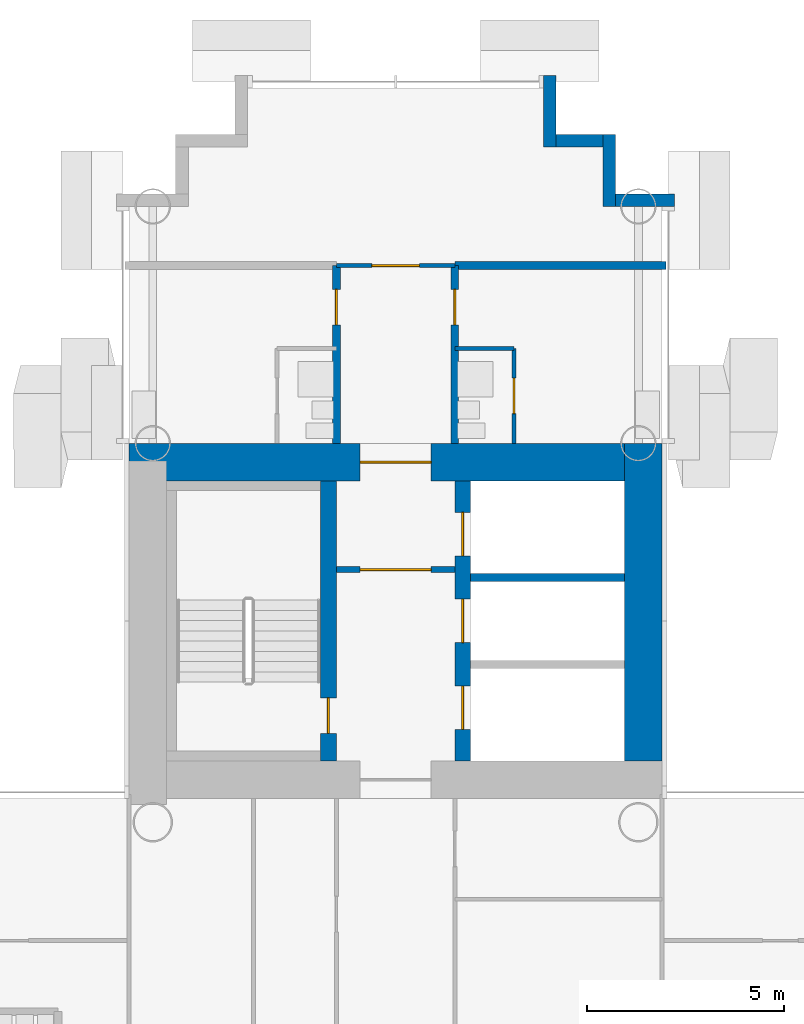
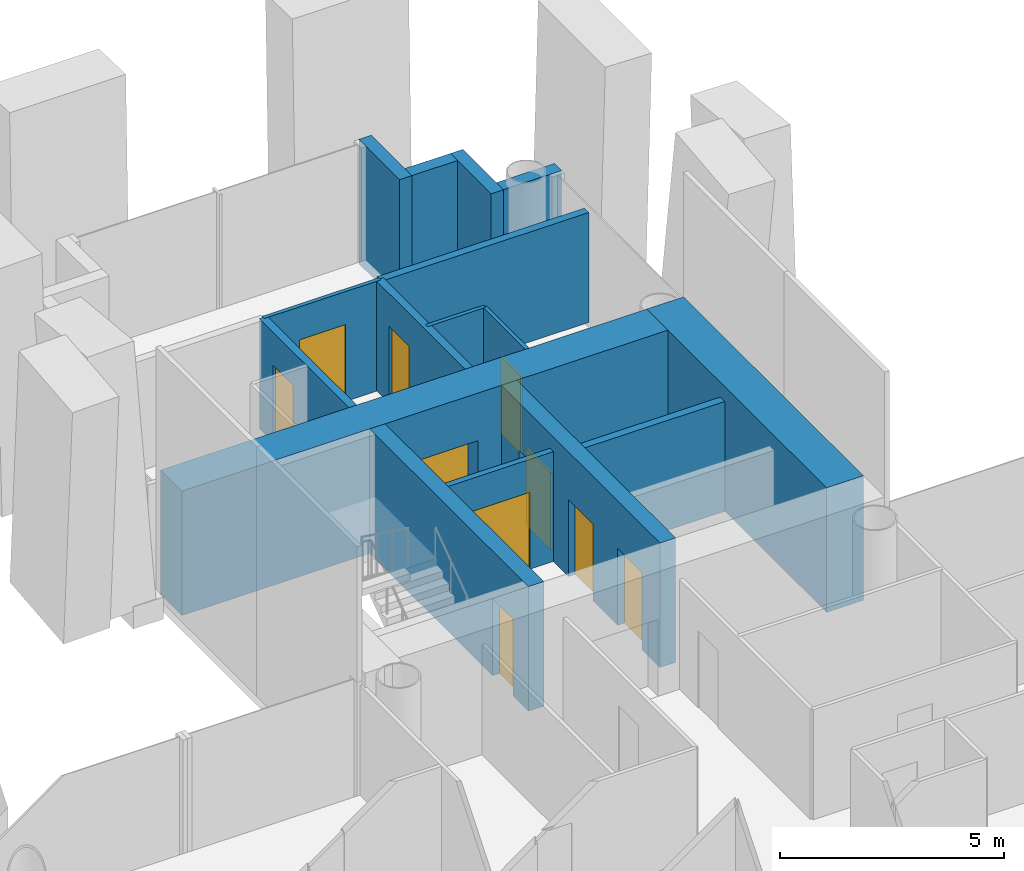
# One storey, part 13 of 20: 16 walls, 10 doors, 10 openings.
"""IFC4 building model written with IfcOpenShell, lengths in metres."""

from ifc_helpers import new_model, si_unit, direction, frame, frame_2d, origin, place, context, subcontext, project, spatial, rectangle, extrude, material, layer, layer_set, type_object, element, fill, save


model = new_model("IFC4")

# Units and contexts
model_context = context("Model", 3, precision=1e-05, world=origin(), true_north=direction((0.0, 1.0)))
body_context = subcontext(model_context, "Body", "Model", "MODEL_VIEW")
ifc_project = project(units=[si_unit("LENGTHUNIT", "METRE"), si_unit("AREAUNIT", "SQUARE_METRE"), si_unit("VOLUMEUNIT", "CUBIC_METRE"), si_unit("PLANEANGLEUNIT", "RADIAN"), si_unit("MASSUNIT", "GRAM", prefix="KILO")], contexts=[model_context])

# Site, building, storey
site_placement = place(None, origin())
site = spatial("IfcSite", under=ifc_project, at=site_placement, CompositionType="ELEMENT")
building_placement = place(site_placement, origin())
building = spatial("IfcBuilding", under=site, at=building_placement, Name="Ipe Terrace Towers", CompositionType="ELEMENT")
storey_placement = place(building_placement, frame((0.0, 0.0, 100.39990234375)))
storey = spatial("IfcBuildingStorey", under=building, at=storey_placement, Name="L27", CompositionType="ELEMENT", Elevation=100.39990234375)

# Walls
ifc_material_1 = material(Name="Concrete C40/50 with buff precast cladding", Category="concrete")
ifc_layer_1 = layer(ifc_material_1, 0.320068359375)
ifc_layer_set_1 = layer_set([ifc_layer_1], Name="BUFF CLADDING WALL 320")
wall_type_1 = type_object("IfcWallType", Name="BUFF CLADDING WALL 320", PredefinedType="STANDARD", material=ifc_layer_set_1)
wall_1_placement = place(storey_placement, frame((43.070068359375, 21.909912109375, -0.2998046875), z_axis=(0.0, 0.0, 1.0), x_axis=(-1.0, 0.0, 0.0)))
element("IfcWall", 1, at=wall_1_placement, inside=storey, type_object=wall_type_1, Name="T2-W-L27-17a wall", PredefinedType="STANDARD", context=body_context, shape_type="SweptSolid", body=[
    extrude(rectangle(XDim=1.5, YDim=0.320068359375, at=frame_2d((0.75, 0.0))), origin(), (0.0, 0.0, 1.0), 3.39990234375),
])
wall_2_placement = place(storey_placement, frame((41.409912109375, 21.75, -0.2998046875), z_axis=(0.0, 0.0, 1.0), x_axis=(0.0, 1.0, 0.0)))
element("IfcWall", 2, at=wall_2_placement, inside=storey, type_object=wall_type_1, Name="T2-W-L27-18a wall", PredefinedType="STANDARD", context=body_context, shape_type="SweptSolid", body=[
    extrude(rectangle(XDim=1.820068359375, YDim=0.320068359375, at=frame_2d((0.91015625, 0.0))), origin(), (0.0, 0.0, 1.0), 3.39990234375),
])
wall_3_placement = place(storey_placement, frame((41.25, 23.409912109375, -0.2998046875), z_axis=(0.0, 0.0, 1.0), x_axis=(-1.0, 0.0, 0.0)))
element("IfcWall", 3, at=wall_3_placement, inside=storey, type_object=wall_type_1, Name="T2-W-L27-19a wall", PredefinedType="STANDARD", context=body_context, shape_type="SweptSolid", body=[
    extrude(rectangle(XDim=1.179931640625, YDim=0.320068359375, at=frame_2d((0.58984375, 0.0))), origin(), (0.0, 0.0, 1.0), 3.39990234375),
])
wall_4_placement = place(storey_placement, frame((39.909912109375, 23.25, -0.2998046875), z_axis=(0.0, 0.0, 1.0), x_axis=(0.0, 1.0, 0.0)))
element("IfcWall", 4, at=wall_4_placement, inside=storey, type_object=wall_type_1, Name="T2-W-L27-20a wall", PredefinedType="STANDARD", context=body_context, shape_type="SweptSolid", body=[
    extrude(rectangle(XDim=1.820068359375, YDim=0.320068359375, at=frame_2d((0.91015625, 0.0))), origin(), (0.0, 0.0, 1.0), 3.39990234375),
])
ifc_material_2 = material(Name="Gypsum board partition", Category="plasterboard")
ifc_layer_2 = layer(ifc_material_2, 0.10009765625)
ifc_layer_set_2 = layer_set([ifc_layer_2], Name="Gypsum board partition 100 mm")
wall_type_2 = type_object("IfcWallType", Name="Gypsum board partition 100 mm", PredefinedType="PARTITIONING", material=ifc_layer_set_2)
wall_5_placement = place(storey_placement, frame((39.0, 18.14990234375, 0.0), z_axis=(0.0, 0.0, 1.0), x_axis=(-1.0, 0.0, 0.0)))
element("IfcWall", 5, at=wall_5_placement, inside=storey, type_object=wall_type_2, Name="Gypsum board partition T2 L27 W16", PredefinedType="PARTITIONING", context=body_context, shape_type="SweptSolid", body=[
    extrude(rectangle(XDim=1.5, YDim=0.10009765625, at=frame_2d((0.75, 0.0))), origin(), (0.0, 0.0, 1.0), 3.0),
])

# Wall, opening, door
wall_6_placement = place(storey_placement, frame((37.5, 20.25, 0.0), z_axis=(0.0, 0.0, 1.0), x_axis=(-1.0, 0.0, 0.0)))
wall_6 = element("IfcWall", 6, at=wall_6_placement, inside=storey, type_object=wall_type_2, Name="Gypsum board partition T2 L27 W18", PredefinedType="PARTITIONING", context=body_context, shape_type="SweptSolid", body=[
    extrude(rectangle(XDim=3.0, YDim=0.10009765625, at=frame_2d((1.5, 0.0))), origin(), (0.0, 0.0, 1.0), 3.0),
])
opening_1_placement = place(wall_6_placement, frame((0.89990234375, 0.0, 0.0)))
opening_1 = element("IfcOpeningElement", 7, at=opening_1_placement, cuts=wall_6, Name="Opening T2-Z2E-21", PredefinedType="OPENING", context=body_context, shape_type="SweptSolid", body=[
    extrude(rectangle(XDim=1.199951171875, YDim=2.10009765625, at=frame_2d((0.60009765625, 1.050048828125))), frame((0.0, 0.06005859375, 0.0), z_axis=(0.0, -1.0, 0.0), x_axis=(1.0, 0.0, 0.0)), (0.0, 0.0, 1.0), 0.1201171875),
])
ifc_material_3 = material(Name="Timber door leaf", Category="wood")
door_type_1 = type_object("IfcDoorType", Name="Lounge door 1200 x 2100", OperationType="NOTDEFINED", PredefinedType="DOOR", material=ifc_material_3)
door_1_placement = place(opening_1_placement, origin())
door_1 = element("IfcDoor", 8, at=door_1_placement, inside=storey, type_object=door_type_1, Name="Lounge door T2-Z2E-21", OperationType="SINGLE_SWING_RIGHT", OverallHeight=2.10009765625, OverallWidth=1.199951171875, PredefinedType="DOOR", context=body_context, shape_type="SweptSolid", body=[
    extrude(rectangle(XDim=1.199951171875, YDim=2.10009765625, at=frame_2d((0.60009765625, 1.050048828125))), frame((0.0, 0.02490234375, 0.0), z_axis=(0.0, -1.0, 0.0), x_axis=(1.0, 0.0, 0.0)), (0.0, 0.0, 1.0), 0.050048828125),
])
fill(opening_1, door_1)

wall_7_placement = place(storey_placement, frame((39.0, 15.75, 0.0), z_axis=(0.0, 0.0, 1.0), x_axis=(0.0, 1.0, 0.0)))
wall_7 = element("IfcWall", 9, at=wall_7_placement, inside=storey, type_object=wall_type_2, Name="Gypsum board partition T2 L27 W28", PredefinedType="PARTITIONING", context=body_context, shape_type="SweptSolid", body=[
    extrude(rectangle(XDim=2.39990234375, YDim=0.10009765625, at=frame_2d((1.199951171875, 0.0))), origin(), (0.0, 0.0, 1.0), 3.0),
])
opening_2_placement = place(wall_7_placement, frame((0.75, 0.0, 0.0)))
opening_2 = element("IfcOpeningElement", 10, at=opening_2_placement, cuts=wall_7, Name="Opening T2-Z2E-20", PredefinedType="OPENING", context=body_context, shape_type="SweptSolid", body=[
    extrude(rectangle(XDim=0.89990234375, YDim=2.10009765625, at=frame_2d((0.449951171875, 1.050048828125))), frame((0.0, 0.06005859375, 0.0), z_axis=(0.0, -1.0, 0.0), x_axis=(1.0, 0.0, 0.0)), (0.0, 0.0, 1.0), 0.1201171875),
])
ifc_material_4 = material(Name="Timber door leaf", Category="wood")
door_type_2 = type_object("IfcDoorType", Name="Bathroom door 900 x 2100", OperationType="NOTDEFINED", PredefinedType="DOOR", material=ifc_material_4)
door_2_placement = place(opening_2_placement, origin())
door_2 = element("IfcDoor", 11, at=door_2_placement, inside=storey, type_object=door_type_2, Name="Bathroom door T2-Z2E-20", OperationType="SINGLE_SWING_LEFT", OverallHeight=2.10009765625, OverallWidth=0.89990234375, PredefinedType="DOOR", context=body_context, shape_type="SweptSolid", body=[
    extrude(rectangle(XDim=0.89990234375, YDim=2.10009765625, at=frame_2d((0.449951171875, 1.050048828125))), frame((0.0, 0.02490234375, 0.0), z_axis=(0.0, -1.0, 0.0), x_axis=(1.0, 0.0, 0.0)), (0.0, 0.0, 1.0), 0.050048828125),
])
fill(opening_2, door_2)

ifc_material_5 = material(Name="Gypsum board partition", Category="plasterboard")
ifc_layer_3 = layer(ifc_material_5, 0.14990234375)
ifc_layer_set_3 = layer_set([ifc_layer_3], Name="Gypsum board partition 150 mm")
wall_type_3 = type_object("IfcWallType", Name="Gypsum board partition 150 mm", PredefinedType="PARTITIONING", material=ifc_layer_set_3)
wall_8_placement = place(storey_placement, frame((37.5, 12.550048828125, 0.0), z_axis=(0.0, 0.0, 1.0), x_axis=(-1.0, 0.0, 0.0)))
wall_8 = element("IfcWall", 12, at=wall_8_placement, inside=storey, type_object=wall_type_3, Name="Gypsum board partition T2 L27 t2c1-lobby-wall", PredefinedType="PARTITIONING", context=body_context, shape_type="SweptSolid", body=[
    extrude(rectangle(XDim=3.0, YDim=0.14990234375, at=frame_2d((1.5, 0.0))), origin(), (0.0, 0.0, 1.0), 3.0),
])
opening_3_placement = place(wall_8_placement, frame((0.60009765625, 0.0, 0.0)))
opening_3 = element("IfcOpeningElement", 13, at=opening_3_placement, cuts=wall_8, Name="Opening T2C1-VD", PredefinedType="OPENING", context=body_context, shape_type="SweptSolid", body=[
    extrude(rectangle(XDim=1.800048828125, YDim=2.10009765625, at=frame_2d((0.89990234375, 1.050048828125))), frame((0.0, 0.0849609375, 0.0), z_axis=(0.0, -1.0, 0.0), x_axis=(1.0, 0.0, 0.0)), (0.0, 0.0, 1.0), 0.169921875),
])
ifc_material_6 = material(Name="Fire-rated timber door leaf", Category="wood")
door_type_3 = type_object("IfcDoorType", Name="Lobby door 1800 x 2100 FD60", OperationType="NOTDEFINED", PredefinedType="DOOR", material=ifc_material_6)
door_3_placement = place(opening_3_placement, origin())
door_3 = element("IfcDoor", 14, at=door_3_placement, inside=storey, type_object=door_type_3, Name="Lobby door T2C1-VD", OperationType="SINGLE_SWING_LEFT", OverallHeight=2.10009765625, OverallWidth=1.800048828125, PredefinedType="DOOR", context=body_context, shape_type="SweptSolid", body=[
    extrude(rectangle(XDim=1.800048828125, YDim=2.10009765625, at=frame_2d((0.89990234375, 1.050048828125))), frame((0.0, 0.02490234375, 0.0), z_axis=(0.0, -1.0, 0.0), x_axis=(1.0, 0.0, 0.0)), (0.0, 0.0, 1.0), 0.050048828125),
])
fill(opening_3, door_3)

# Walls
ifc_material_7 = material(Name="Gypsum board party wall", Category="plasterboard")
ifc_layer_4 = layer(ifc_material_7, 0.199951171875)
ifc_layer_set_4 = layer_set([ifc_layer_4], Name="Gypsum board party wall 200 mm")
wall_type_4 = type_object("IfcWallType", Name="Gypsum board party wall 200 mm", PredefinedType="SOLIDWALL", material=ifc_layer_set_4)
wall_9_placement = place(storey_placement, frame((41.800048828125, 12.35009765625, 0.0), z_axis=(0.0, 0.0, 1.0), x_axis=(-1.0, 0.0, 0.0)))
element("IfcWall", 15, at=wall_9_placement, inside=storey, type_object=wall_type_4, Name="Gypsum board party wall T2 L27 t2c1-shaft-div2", PredefinedType="SOLIDWALL", context=body_context, shape_type="SweptSolid", body=[
    extrude(rectangle(XDim=3.900146484375, YDim=0.199951171875, at=frame_2d((1.9501953125, 0.0))), origin(), (0.0, 0.0, 1.0), 3.0),
])
wall_10_placement = place(storey_placement, frame((42.85009765625, 20.25, 0.0), z_axis=(0.0, 0.0, 1.0), x_axis=(-1.0, 0.0, 0.0)))
element("IfcWall", 16, at=wall_10_placement, inside=storey, type_object=wall_type_4, Name="Gypsum board party wall T2 L27 W19", PredefinedType="SOLIDWALL", context=body_context, shape_type="SweptSolid", body=[
    extrude(rectangle(XDim=5.35009765625, YDim=0.199951171875, at=frame_2d((2.675048828125, 0.0))), origin(), (0.0, 0.0, 1.0), 3.0),
])

# Wall, opening, door
wall_11_placement = place(storey_placement, frame((37.5, 15.75, 0.0), z_axis=(0.0, 0.0, 1.0), x_axis=(0.0, 1.0, 0.0)))
wall_11 = element("IfcWall", 17, at=wall_11_placement, inside=storey, type_object=wall_type_4, Name="Gypsum board party wall T2 L27 W31", PredefinedType="SOLIDWALL", context=body_context, shape_type="SweptSolid", body=[
    extrude(rectangle(XDim=4.5, YDim=0.199951171875, at=frame_2d((2.25, 0.0))), origin(), (0.0, 0.0, 1.0), 3.0),
])
opening_4_placement = place(wall_11_placement, frame((3.0, 0.0, 0.0)))
opening_4 = element("IfcOpeningElement", 18, at=opening_4_placement, cuts=wall_11, Name="Opening T2-Z2E-19", PredefinedType="OPENING", context=body_context, shape_type="SweptSolid", body=[
    extrude(rectangle(XDim=0.89990234375, YDim=2.10009765625, at=frame_2d((0.449951171875, 1.050048828125))), frame((0.0, 0.10986328125, 0.0), z_axis=(0.0, -1.0, 0.0), x_axis=(1.0, 0.0, 0.0)), (0.0, 0.0, 1.0), 0.219970703125),
])
ifc_material_8 = material(Name="Fire-rated timber door leaf", Category="wood")
door_type_4 = type_object("IfcDoorType", Name="Flat entrance door 900 x 2100 FD30S", OperationType="NOTDEFINED", PredefinedType="DOOR", material=ifc_material_8)
door_4_placement = place(opening_4_placement, origin())
door_4 = element("IfcDoor", 19, at=door_4_placement, inside=storey, type_object=door_type_4, Name="Flat entrance door T2-Z2E-19", OperationType="SINGLE_SWING_RIGHT", OverallHeight=2.10009765625, OverallWidth=0.89990234375, PredefinedType="DOOR", context=body_context, shape_type="SweptSolid", body=[
    extrude(rectangle(XDim=0.89990234375, YDim=2.10009765625, at=frame_2d((0.449951171875, 1.050048828125))), frame((0.0, 0.02490234375, 0.0), z_axis=(0.0, -1.0, 0.0), x_axis=(1.0, 0.0, 0.0)), (0.0, 0.0, 1.0), 0.050048828125),
])
fill(opening_4, door_4)

wall_12_placement = place(storey_placement, frame((34.5, 15.75, 0.0), z_axis=(0.0, 0.0, 1.0), x_axis=(0.0, 1.0, 0.0)))
wall_12 = element("IfcWall", 20, at=wall_12_placement, inside=storey, type_object=wall_type_4, Name="Gypsum board party wall T2 L27 W34", PredefinedType="SOLIDWALL", context=body_context, shape_type="SweptSolid", body=[
    extrude(rectangle(XDim=4.5, YDim=0.199951171875, at=frame_2d((2.25, 0.0))), origin(), (0.0, 0.0, 1.0), 3.0),
])
opening_5_placement = place(wall_12_placement, frame((3.0, 0.0, 0.0)))
opening_5 = element("IfcOpeningElement", 21, at=opening_5_placement, cuts=wall_12, Name="Opening T2-Z2E-17", PredefinedType="OPENING", context=body_context, shape_type="SweptSolid", body=[
    extrude(rectangle(XDim=0.89990234375, YDim=2.10009765625, at=frame_2d((0.449951171875, 1.050048828125))), frame((0.0, 0.10986328125, 0.0), z_axis=(0.0, -1.0, 0.0), x_axis=(1.0, 0.0, 0.0)), (0.0, 0.0, 1.0), 0.219970703125),
])
door_5_placement = place(opening_5_placement, origin())
door_5 = element("IfcDoor", 22, at=door_5_placement, inside=storey, type_object=door_type_4, Name="Flat entrance door T2-Z2E-17", OperationType="SINGLE_SWING_LEFT", OverallHeight=2.10009765625, OverallWidth=0.89990234375, PredefinedType="DOOR", context=body_context, shape_type="SweptSolid", body=[
    extrude(rectangle(XDim=0.89990234375, YDim=2.10009765625, at=frame_2d((0.449951171875, 1.050048828125))), frame((0.0, 0.02490234375, 0.0), z_axis=(0.0, -1.0, 0.0), x_axis=(1.0, 0.0, 0.0)), (0.0, 0.0, 1.0), 0.050048828125),
])
fill(opening_5, door_5)

ifc_material_9 = material(Name="Concrete C50/60", Category="concrete")
ifc_layer_5 = layer(ifc_material_9, 0.39990234375)
ifc_layer_set_5 = layer_set([ifc_layer_5], Name="RW400 CORE SPINE WALL 400 C50-60")
wall_type_5 = type_object("IfcWallType", Name="RW400 CORE SPINE WALL 400 C50-60", PredefinedType="SHEAR", material=ifc_layer_set_5)
wall_13_placement = place(storey_placement, frame((34.300048828125, 7.699951171875, 0.0), z_axis=(0.0, 0.0, 1.0), x_axis=(0.0, 1.0, 0.0)))
wall_13 = element("IfcWall", 23, at=wall_13_placement, inside=storey, type_object=wall_type_5, Name="Core spine wall T2-C1-Z2-SW1", PredefinedType="SHEAR", context=body_context, shape_type="SweptSolid", body=[
    extrude(rectangle(XDim=7.10009765625, YDim=0.39990234375, at=frame_2d((3.550048828125, 0.0))), origin(), (0.0, 0.0, 1.0), 3.400146484375),
])
opening_6_placement = place(wall_13_placement, frame((0.699951171875, 0.0, 0.0)))
opening_6 = element("IfcOpeningElement", 24, at=opening_6_placement, cuts=wall_13, Name="Opening T2C1-SD", PredefinedType="OPENING", context=body_context, shape_type="SweptSolid", body=[
    extrude(rectangle(XDim=0.89990234375, YDim=2.10009765625, at=frame_2d((0.449951171875, 1.050048828125))), frame((0.0, 0.2099609375, 0.0), z_axis=(0.0, -1.0, 0.0), x_axis=(1.0, 0.0, 0.0)), (0.0, 0.0, 1.0), 0.419921875),
])
ifc_material_10 = material(Name="Fire-rated timber door leaf", Category="wood")
door_type_5 = type_object("IfcDoorType", Name="Stair door 900 x 2100 FD60", OperationType="NOTDEFINED", PredefinedType="DOOR", material=ifc_material_10)
door_6_placement = place(opening_6_placement, origin())
door_6 = element("IfcDoor", 25, at=door_6_placement, inside=storey, type_object=door_type_5, Name="Stair door T2C1-SD", OperationType="SINGLE_SWING_LEFT", OverallHeight=2.10009765625, OverallWidth=0.89990234375, PredefinedType="DOOR", context=body_context, shape_type="SweptSolid", body=[
    extrude(rectangle(XDim=0.89990234375, YDim=2.10009765625, at=frame_2d((0.449951171875, 1.050048828125))), frame((0.0, 0.02490234375, 0.0), z_axis=(0.0, -1.0, 0.0), x_axis=(1.0, 0.0, 0.0)), (0.0, 0.0, 1.0), 0.050048828125),
])
fill(opening_6, door_6)

# Wall, openings, doors
wall_14_placement = place(storey_placement, frame((37.699951171875, 7.699951171875, 0.0), z_axis=(0.0, 0.0, 1.0), x_axis=(0.0, 1.0, 0.0)))
wall_14 = element("IfcWall", 26, at=wall_14_placement, inside=storey, type_object=wall_type_5, Name="Core spine wall T2-C1-Z2-SW2", PredefinedType="SHEAR", context=body_context, shape_type="SweptSolid", body=[
    extrude(rectangle(XDim=7.10009765625, YDim=0.39990234375, at=frame_2d((3.550048828125, 0.0))), origin(), (0.0, 0.0, 1.0), 3.400146484375),
])
opening_7_placement = place(wall_14_placement, frame((0.800048828125, 0.0, 0.0)))
opening_7 = element("IfcOpeningElement", 27, at=opening_7_placement, cuts=wall_14, Name="Opening T2C1-LD1", PredefinedType="OPENING", context=body_context, shape_type="SweptSolid", body=[
    extrude(rectangle(XDim=1.10009765625, YDim=2.10009765625, at=frame_2d((0.550048828125, 1.050048828125))), frame((0.0, 0.2099609375, 0.0), z_axis=(0.0, -1.0, 0.0), x_axis=(1.0, 0.0, 0.0)), (0.0, 0.0, 1.0), 0.419921875),
])
opening_8_placement = place(wall_14_placement, frame((3.0, 0.0, 0.0)))
opening_8 = element("IfcOpeningElement", 28, at=opening_8_placement, cuts=wall_14, Name="Opening T2C1-LD2", PredefinedType="OPENING", context=body_context, shape_type="SweptSolid", body=[
    extrude(rectangle(XDim=1.10009765625, YDim=2.10009765625, at=frame_2d((0.550048828125, 1.050048828125))), frame((0.0, 0.2099609375, 0.0), z_axis=(0.0, -1.0, 0.0), x_axis=(1.0, 0.0, 0.0)), (0.0, 0.0, 1.0), 0.419921875),
])
opening_9_placement = place(wall_14_placement, frame((5.199951171875, 0.0, 0.0)))
opening_9 = element("IfcOpeningElement", 29, at=opening_9_placement, cuts=wall_14, Name="Opening T2C1-LD3", PredefinedType="OPENING", context=body_context, shape_type="SweptSolid", body=[
    extrude(rectangle(XDim=1.10009765625, YDim=2.10009765625, at=frame_2d((0.550048828125, 1.050048828125))), frame((0.0, 0.2099609375, 0.0), z_axis=(0.0, -1.0, 0.0), x_axis=(1.0, 0.0, 0.0)), (0.0, 0.0, 1.0), 0.419921875),
])
ifc_material_11 = material(Name="Fire-rated timber door leaf", Category="wood")
door_type_6 = type_object("IfcDoorType", Name="Sliding door 1100 x 2100 FD60", OperationType="SLIDING_TO_LEFT", PredefinedType="DOOR", material=ifc_material_11)
door_7_placement = place(opening_7_placement, origin())
door_7 = element("IfcDoor", 30, at=door_7_placement, inside=storey, type_object=door_type_6, Name="Sliding door T2C1-LD1", OperationType="SLIDING_TO_LEFT", OverallHeight=2.10009765625, OverallWidth=1.10009765625, PredefinedType="DOOR", context=body_context, shape_type="SweptSolid", body=[
    extrude(rectangle(XDim=1.10009765625, YDim=2.10009765625, at=frame_2d((0.550048828125, 1.050048828125))), frame((0.0, 0.02490234375, 0.0), z_axis=(0.0, -1.0, 0.0), x_axis=(1.0, 0.0, 0.0)), (0.0, 0.0, 1.0), 0.050048828125),
])
fill(opening_7, door_7)
door_8_placement = place(opening_8_placement, origin())
door_8 = element("IfcDoor", 31, at=door_8_placement, inside=storey, type_object=door_type_6, Name="Sliding door T2C1-LD2", OperationType="SLIDING_TO_LEFT", OverallHeight=2.10009765625, OverallWidth=1.10009765625, PredefinedType="DOOR", context=body_context, shape_type="SweptSolid", body=[
    extrude(rectangle(XDim=1.10009765625, YDim=2.10009765625, at=frame_2d((0.550048828125, 1.050048828125))), frame((0.0, 0.02490234375, 0.0), z_axis=(0.0, -1.0, 0.0), x_axis=(1.0, 0.0, 0.0)), (0.0, 0.0, 1.0), 0.050048828125),
])
fill(opening_8, door_8)
door_9_placement = place(opening_9_placement, origin())
door_9 = element("IfcDoor", 32, at=door_9_placement, inside=storey, type_object=door_type_6, Name="Sliding door T2C1-LD3", OperationType="SLIDING_TO_LEFT", OverallHeight=2.10009765625, OverallWidth=1.10009765625, PredefinedType="DOOR", context=body_context, shape_type="SweptSolid", body=[
    extrude(rectangle(XDim=1.10009765625, YDim=2.10009765625, at=frame_2d((0.550048828125, 1.050048828125))), frame((0.0, 0.02490234375, 0.0), z_axis=(0.0, -1.0, 0.0), x_axis=(1.0, 0.0, 0.0)), (0.0, 0.0, 1.0), 0.050048828125),
])
fill(opening_9, door_9)

# Wall
ifc_material_12 = material(Name="Concrete C50/60", Category="concrete")
ifc_layer_6 = layer(ifc_material_12, 0.949951171875)
ifc_layer_set_6 = layer_set([ifc_layer_6], Name="RW950 CORE WALL 950 C50-60")
wall_type_6 = type_object("IfcWallType", Name="RW950 CORE WALL 950 C50-60", PredefinedType="SHEAR", material=ifc_layer_set_6)
wall_15_placement = place(storey_placement, frame((42.27490234375, 7.699951171875, 0.0), z_axis=(0.0, 0.0, 1.0), x_axis=(0.0, 1.0, 0.0)))
element("IfcWall", 33, at=wall_15_placement, inside=storey, type_object=wall_type_6, Name="Core wall T2-C1-Z2-W02", PredefinedType="SHEAR", context=body_context, shape_type="SweptSolid", body=[
    extrude(rectangle(XDim=8.050048828125, YDim=0.949951171875, at=frame_2d((4.02490234375, 0.0))), origin(), (0.0, 0.0, 1.0), 3.400146484375),
])

# Wall, opening, door
wall_16_placement = place(storey_placement, frame((41.800048828125, 15.27490234375, 0.0), z_axis=(0.0, 0.0, 1.0), x_axis=(-1.0, 0.0, 0.0)))
wall_16 = element("IfcWall", 34, at=wall_16_placement, inside=storey, type_object=wall_type_6, Name="Core wall T2-C1-Z2-W03", PredefinedType="SHEAR", context=body_context, shape_type="SweptSolid", body=[
    extrude(rectangle(XDim=12.550048828125, YDim=0.949951171875, at=frame_2d((6.27490234375, 0.0))), origin(), (0.0, 0.0, 1.0), 3.400146484375),
])
opening_10_placement = place(wall_16_placement, frame((4.89990234375, 0.0, 0.0)))
opening_10 = element("IfcOpeningElement", 35, at=opening_10_placement, cuts=wall_16, Name="Opening T2C1-FD", PredefinedType="OPENING", context=body_context, shape_type="SweptSolid", body=[
    extrude(rectangle(XDim=1.800048828125, YDim=2.10009765625, at=frame_2d((0.89990234375, 1.050048828125))), frame((0.0, 0.48486328125, 0.0), z_axis=(0.0, -1.0, 0.0), x_axis=(1.0, 0.0, 0.0)), (0.0, 0.0, 1.0), 0.969970703125),
])
ifc_material_13 = material(Name="Fire-rated timber door leaf", Category="wood")
door_type_7 = type_object("IfcDoorType", Name="Fire door 1800 x 2100 FD30S", OperationType="NOTDEFINED", PredefinedType="DOOR", material=ifc_material_13)
door_10_placement = place(opening_10_placement, origin())
door_10 = element("IfcDoor", 36, at=door_10_placement, inside=storey, type_object=door_type_7, Name="Fire door T2C1-FD", OperationType="SINGLE_SWING_LEFT", OverallHeight=2.10009765625, OverallWidth=1.800048828125, PredefinedType="DOOR", context=body_context, shape_type="SweptSolid", body=[
    extrude(rectangle(XDim=1.800048828125, YDim=2.10009765625, at=frame_2d((0.89990234375, 1.050048828125))), frame((0.0, 0.02490234375, 0.0), z_axis=(0.0, -1.0, 0.0), x_axis=(1.0, 0.0, 0.0)), (0.0, 0.0, 1.0), 0.050048828125),
])
fill(opening_10, door_10)

save(model, "model.ifc")
